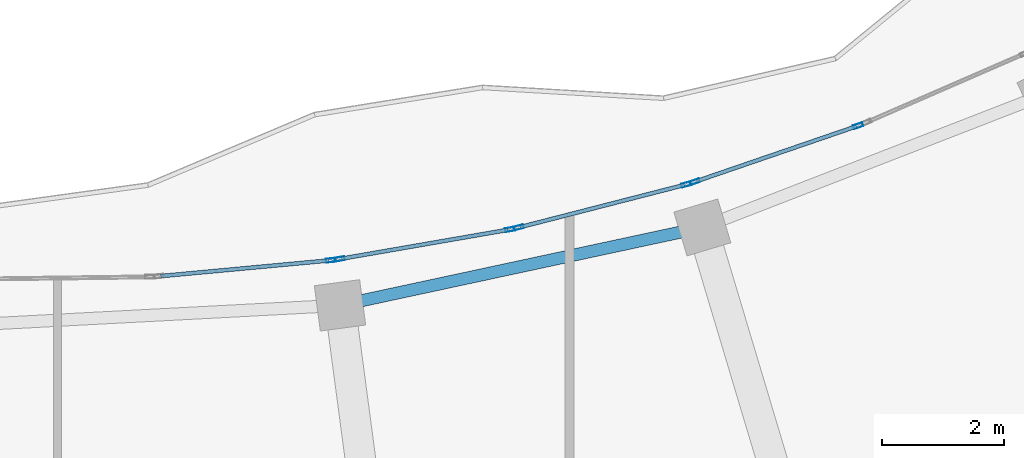
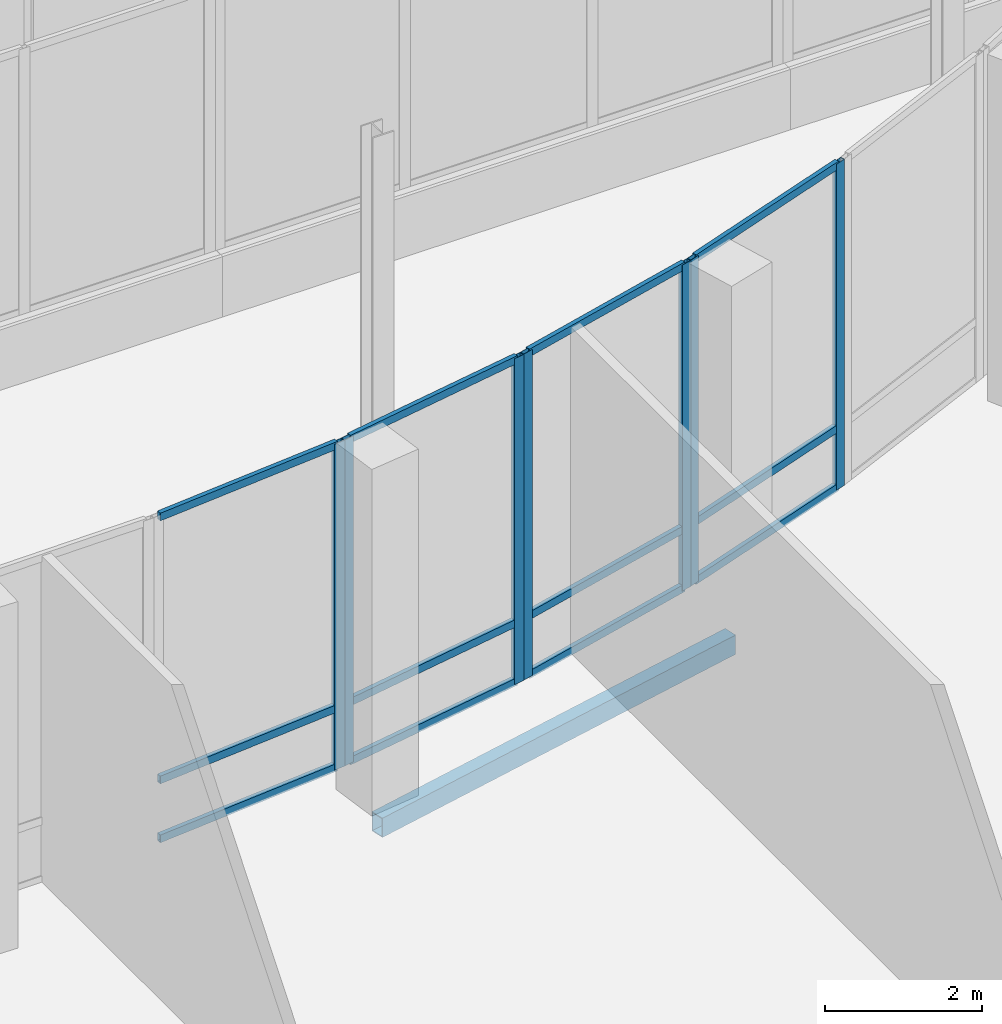
# One storey, part 38 of 158: 19 members, 1 beam, 4 elements without a shape of their own.
"""IFC4 building model written with IfcOpenShell, lengths in metres."""

from ifc_helpers import new_model, si_unit, direction, frame, origin, origin_2d, place, context, subcontext, project, spatial, hollow_rectangle, extrude, material, material_profile, profile_set, type_object, element, aggregate, save


model = new_model("IFC4")

# Units and contexts
model_context = context("Model", 3, precision=1e-05, world=origin(), true_north=direction((0.0, 1.0)))
body_context = subcontext(model_context, "Body", "Model", "MODEL_VIEW")
ifc_project = project(units=[si_unit("LENGTHUNIT", "METRE"), si_unit("AREAUNIT", "SQUARE_METRE"), si_unit("VOLUMEUNIT", "CUBIC_METRE"), si_unit("PLANEANGLEUNIT", "RADIAN"), si_unit("MASSUNIT", "GRAM", prefix="KILO")], contexts=[model_context])

# Site, building, storey
site_placement = place(None, origin())
site = spatial("IfcSite", under=ifc_project, at=site_placement, CompositionType="ELEMENT")
building_placement = place(site_placement, origin())
building = spatial("IfcBuilding", under=site, at=building_placement, Name="Selatvlak General Hospital", CompositionType="ELEMENT")
storey_placement = place(building_placement, origin())
storey = spatial("IfcBuildingStorey", under=building, at=storey_placement, Name="L00", CompositionType="ELEMENT", Elevation=0.0)

# Beam
ifc_material_1 = material(Name="Steel S355", Category="steel")
ifc_material_profile_1 = material_profile(ifc_material_1, hollow_rectangle(XDim=0.199951171875, YDim=0.300048828125, WallThickness=0.011962890625, at=origin_2d()), Name="RHS 300x200x12")
ifc_profile_set_1 = profile_set([ifc_material_profile_1], Name="Steel S355")
beam_type = type_object("IfcBeamType", Name="BM-SP3", PredefinedType="SPANDREL", material=ifc_profile_set_1)
beam_placement = place(storey_placement, frame((61.034912109375, 41.5830078125, -0.5), z_axis=(0.977655854443, 0.210211869964, 0.0), x_axis=(-0.210211869964, 0.977655854443, 0.0)))
element("IfcBeam", 1, at=beam_placement, inside=storey, type_object=beam_type, Name="Beam BMR-L00-0358", PredefinedType="SPANDREL", context=body_context, shape_type="SweptSolid", body=[
    extrude(hollow_rectangle(XDim=0.199951171875, YDim=0.300048828125, WallThickness=0.011962890625, at=origin_2d()), origin(), (0.0, 0.0, 1.0), 6.079833984375),
])

# Curtain wall, member
ifc_material_2 = material(Name="Solar-control Low-E double glazing", Category="glass")
curtain_wall_type_1 = type_object("IfcCurtainWallType", Name="CW-CW-02", PredefinedType="USERDEFINED", material=ifc_material_2)
curtain_wall_1_placement = place(storey_placement, origin())
curtain_wall_1 = element("IfcCurtainWall", 2, at=curtain_wall_1_placement, inside=storey, type_object=curtain_wall_type_1, Name="Glazed facade curtain wall CW-L00-0078", ObjectType="UNITISED CURTAIN WALL", PredefinedType="USERDEFINED")
ifc_material_3 = material(Name="Dark anodised aluminium mullion", Category="aluminium")
ifc_material_profile_2 = material_profile(ifc_material_3, hollow_rectangle(XDim=0.06494140625, YDim=0.159912109375, WallThickness=0.00390625, at=origin_2d()), Name="AL-MUL 65x160x4")
ifc_profile_set_2 = profile_set([ifc_material_profile_2], Name="Dark anodised aluminium mullion")
member_type_1 = type_object("IfcMemberType", Name="CWM-01", PredefinedType="MULLION", material=ifc_profile_set_2)
member_1_placement = place(storey_placement, frame((60.88671875, 42.322021484375, 0.0), z_axis=(0.0, 0.0, 1.0), x_axis=(-0.092369074668, 0.99572483852, 0.0)))
member_1 = element("IfcMember", 3, at=member_1_placement, type_object=member_type_1, Name="CW-02 mullion 2", PredefinedType="MULLION", context=body_context, shape_type="SweptSolid", body=[
    extrude(hollow_rectangle(XDim=0.06494140625, YDim=0.159912109375, WallThickness=0.00390625, at=origin_2d()), origin(), (0.0, 0.0, 1.0), 5.080078125),
])

# Curtain wall, members
curtain_wall_type_2 = type_object("IfcCurtainWallType", Name="CW-CW-01", PredefinedType="USERDEFINED", material=ifc_material_2)
curtain_wall_2_placement = place(storey_placement, origin())
curtain_wall_2 = element("IfcCurtainWall", 4, at=curtain_wall_2_placement, inside=storey, type_object=curtain_wall_type_2, Name="Glazed facade curtain wall CW-L00-0079", ObjectType="UNITISED CURTAIN WALL", PredefinedType="USERDEFINED")
member_2_placement = place(storey_placement, frame((61.030029296875, 42.343505859375, 0.0), z_axis=(0.0, 0.0, 1.0), x_axis=(-0.170657302344, 0.985330444651, 0.0)))
member_2 = element("IfcMember", 5, at=member_2_placement, type_object=member_type_1, Name="CW-01 mullion 1", PredefinedType="MULLION", context=body_context, shape_type="SweptSolid", body=[
    extrude(hollow_rectangle(XDim=0.06494140625, YDim=0.159912109375, WallThickness=0.00390625, at=origin_2d()), origin(), (0.0, 0.0, 1.0), 5.080078125),
])
member_3_placement = place(storey_placement, frame((63.823974609375, 42.827392578125, 0.0), z_axis=(0.0, 0.0, 1.0), x_axis=(-0.170657302344, 0.985330444651, 0.0)))
member_3 = element("IfcMember", 6, at=member_3_placement, type_object=member_type_1, Name="CW-01 mullion 2", PredefinedType="MULLION", context=body_context, shape_type="SweptSolid", body=[
    extrude(hollow_rectangle(XDim=0.06494140625, YDim=0.159912109375, WallThickness=0.00390625, at=origin_2d()), origin(), (0.0, 0.0, 1.0), 5.080078125),
])

curtain_wall_3_placement = place(storey_placement, origin())
curtain_wall_3 = element("IfcCurtainWall", 7, at=curtain_wall_3_placement, inside=storey, type_object=curtain_wall_type_1, Name="Glazed facade curtain wall CW-L00-0080", ObjectType="UNITISED CURTAIN WALL", PredefinedType="USERDEFINED")
member_4_placement = place(storey_placement, frame((63.965576171875, 42.860107421875, 0.0), z_axis=(0.0, 0.0, 1.0), x_axis=(-0.248607304863, 0.968604360907, 0.0)))
member_4 = element("IfcMember", 8, at=member_4_placement, type_object=member_type_1, Name="CW-02 mullion 1", PredefinedType="MULLION", context=body_context, shape_type="SweptSolid", body=[
    extrude(hollow_rectangle(XDim=0.06494140625, YDim=0.159912109375, WallThickness=0.00390625, at=origin_2d()), origin(), (0.0, 0.0, 1.0), 5.080078125),
])
member_5_placement = place(storey_placement, frame((66.715576171875, 43.56591796875, 0.0), z_axis=(0.0, 0.0, 1.0), x_axis=(-0.248607304863, 0.968604360907, 0.0)))
member_5 = element("IfcMember", 9, at=member_5_placement, type_object=member_type_1, Name="CW-02 mullion 2", PredefinedType="MULLION", context=body_context, shape_type="SweptSolid", body=[
    extrude(hollow_rectangle(XDim=0.06494140625, YDim=0.159912109375, WallThickness=0.00390625, at=origin_2d()), origin(), (0.0, 0.0, 1.0), 5.080078125),
])

curtain_wall_4_placement = place(storey_placement, origin())
curtain_wall_4 = element("IfcCurtainWall", 10, at=curtain_wall_4_placement, inside=storey, type_object=curtain_wall_type_2, Name="Glazed facade curtain wall CW-L00-0081", ObjectType="UNITISED CURTAIN WALL", PredefinedType="USERDEFINED")
member_6_placement = place(storey_placement, frame((66.853759765625, 43.609619140625, 0.0), z_axis=(0.0, 0.0, 1.0), x_axis=(-0.324491825998, 0.945888500226, 0.0)))
member_6 = element("IfcMember", 11, at=member_6_placement, type_object=member_type_1, Name="CW-01 mullion 1", PredefinedType="MULLION", context=body_context, shape_type="SweptSolid", body=[
    extrude(hollow_rectangle(XDim=0.06494140625, YDim=0.159912109375, WallThickness=0.00390625, at=origin_2d()), origin(), (0.0, 0.0, 1.0), 5.080078125),
])
member_7_placement = place(storey_placement, frame((69.53515625, 44.529541015625, 0.0), z_axis=(0.0, 0.0, 1.0), x_axis=(-0.324491825998, 0.945888500226, 0.0)))
member_7 = element("IfcMember", 12, at=member_7_placement, type_object=member_type_1, Name="CW-01 mullion 2", PredefinedType="MULLION", context=body_context, shape_type="SweptSolid", body=[
    extrude(hollow_rectangle(XDim=0.06494140625, YDim=0.159912109375, WallThickness=0.00390625, at=origin_2d()), origin(), (0.0, 0.0, 1.0), 5.080078125),
])

# Member
ifc_material_profile_3 = material_profile(ifc_material_3, hollow_rectangle(XDim=0.06494140625, YDim=0.1201171875, WallThickness=0.00390625, at=origin_2d()), Name="AL-TRN 65x120x4")
ifc_profile_set_3 = profile_set([ifc_material_profile_3], Name="Dark anodised aluminium mullion")
member_type_2 = type_object("IfcMemberType", Name="CWT-01", PredefinedType="USERDEFINED", material=ifc_profile_set_3)
member_8_placement = place(storey_placement, frame((58.0947265625, 42.06298828125, 0.032470703125), z_axis=(0.995721031907, 0.092410100192, 0.0), x_axis=(-0.092410100192, 0.995721031907, 0.0)))
member_8 = element("IfcMember", 13, at=member_8_placement, type_object=member_type_2, Name="CW-02 transom 1.1", ObjectType="TRANSOM", PredefinedType="USERDEFINED", context=body_context, shape_type="SweptSolid", body=[
    extrude(hollow_rectangle(XDim=0.06494140625, YDim=0.1201171875, WallThickness=0.00390625, at=origin_2d()), origin(), (0.0, 0.0, 1.0), 2.771484375),
])

member_9_placement = place(storey_placement, frame((58.0947265625, 42.06298828125, 0.949951171875), z_axis=(0.995721031907, 0.092410100192, 0.0), x_axis=(-0.092410100192, 0.995721031907, 0.0)))
member_9 = element("IfcMember", 14, at=member_9_placement, type_object=member_type_2, Name="CW-02 transom 1.2", ObjectType="TRANSOM", PredefinedType="USERDEFINED", context=body_context, shape_type="SweptSolid", body=[
    extrude(hollow_rectangle(XDim=0.06494140625, YDim=0.1201171875, WallThickness=0.00390625, at=origin_2d()), origin(), (0.0, 0.0, 1.0), 2.771484375),
])

member_10_placement = place(storey_placement, frame((58.0947265625, 42.06298828125, 5.047607421875), z_axis=(0.995721031907, 0.092410100192, 0.0), x_axis=(-0.092410100192, 0.995721031907, 0.0)))
member_10 = element("IfcMember", 15, at=member_10_placement, type_object=member_type_2, Name="CW-02 transom 1.3", ObjectType="TRANSOM", PredefinedType="USERDEFINED", context=body_context, shape_type="SweptSolid", body=[
    extrude(hollow_rectangle(XDim=0.06494140625, YDim=0.1201171875, WallThickness=0.00390625, at=origin_2d()), origin(), (0.0, 0.0, 1.0), 2.771484375),
])

aggregate(curtain_wall_1, [member_1, member_8, member_9, member_10])

member_11_placement = place(storey_placement, frame((61.06201171875, 42.34912109375, 0.032470703125), z_axis=(0.985326006405, 0.170682925631, 0.0), x_axis=(-0.170682925631, 0.985326006405, 0.0)))
member_11 = element("IfcMember", 16, at=member_11_placement, type_object=member_type_2, Name="CW-01 transom 1.1", ObjectType="TRANSOM", PredefinedType="USERDEFINED", context=body_context, shape_type="SweptSolid", body=[
    extrude(hollow_rectangle(XDim=0.06494140625, YDim=0.1201171875, WallThickness=0.00390625, at=origin_2d()), origin(), (0.0, 0.0, 1.0), 2.770751953125),
])

member_12_placement = place(storey_placement, frame((61.06201171875, 42.34912109375, 0.949951171875), z_axis=(0.985326006405, 0.170682925631, 0.0), x_axis=(-0.170682925631, 0.985326006405, 0.0)))
member_12 = element("IfcMember", 17, at=member_12_placement, type_object=member_type_2, Name="CW-01 transom 1.2", ObjectType="TRANSOM", PredefinedType="USERDEFINED", context=body_context, shape_type="SweptSolid", body=[
    extrude(hollow_rectangle(XDim=0.06494140625, YDim=0.1201171875, WallThickness=0.00390625, at=origin_2d()), origin(), (0.0, 0.0, 1.0), 2.770751953125),
])

member_13_placement = place(storey_placement, frame((61.06201171875, 42.34912109375, 5.047607421875), z_axis=(0.985326006405, 0.170682925631, 0.0), x_axis=(-0.170682925631, 0.985326006405, 0.0)))
member_13 = element("IfcMember", 18, at=member_13_placement, type_object=member_type_2, Name="CW-01 transom 1.3", ObjectType="TRANSOM", PredefinedType="USERDEFINED", context=body_context, shape_type="SweptSolid", body=[
    extrude(hollow_rectangle(XDim=0.06494140625, YDim=0.1201171875, WallThickness=0.00390625, at=origin_2d()), origin(), (0.0, 0.0, 1.0), 2.770751953125),
])

aggregate(curtain_wall_2, [member_2, member_3, member_11, member_12, member_13])

member_14_placement = place(storey_placement, frame((63.9970703125, 42.8681640625, 0.032470703125), z_axis=(0.96860140011, 0.248618840206, 0.0), x_axis=(-0.248618840206, 0.96860140011, 0.0)))
member_14 = element("IfcMember", 19, at=member_14_placement, type_object=member_type_2, Name="CW-02 transom 1.1", ObjectType="TRANSOM", PredefinedType="USERDEFINED", context=body_context, shape_type="SweptSolid", body=[
    extrude(hollow_rectangle(XDim=0.06494140625, YDim=0.1201171875, WallThickness=0.00390625, at=origin_2d()), origin(), (0.0, 0.0, 1.0), 2.774169921875),
])

member_15_placement = place(storey_placement, frame((63.9970703125, 42.8681640625, 0.949951171875), z_axis=(0.96860140011, 0.248618840206, 0.0), x_axis=(-0.248618840206, 0.96860140011, 0.0)))
member_15 = element("IfcMember", 20, at=member_15_placement, type_object=member_type_2, Name="CW-02 transom 1.2", ObjectType="TRANSOM", PredefinedType="USERDEFINED", context=body_context, shape_type="SweptSolid", body=[
    extrude(hollow_rectangle(XDim=0.06494140625, YDim=0.1201171875, WallThickness=0.00390625, at=origin_2d()), origin(), (0.0, 0.0, 1.0), 2.774169921875),
])

member_16_placement = place(storey_placement, frame((63.9970703125, 42.8681640625, 5.047607421875), z_axis=(0.96860140011, 0.248618840206, 0.0), x_axis=(-0.248618840206, 0.96860140011, 0.0)))
member_16 = element("IfcMember", 21, at=member_16_placement, type_object=member_type_2, Name="CW-02 transom 1.3", ObjectType="TRANSOM", PredefinedType="USERDEFINED", context=body_context, shape_type="SweptSolid", body=[
    extrude(hollow_rectangle(XDim=0.06494140625, YDim=0.1201171875, WallThickness=0.00390625, at=origin_2d()), origin(), (0.0, 0.0, 1.0), 2.774169921875),
])

aggregate(curtain_wall_3, [member_4, member_5, member_14, member_15, member_16])

member_17_placement = place(storey_placement, frame((66.884521484375, 43.6201171875, 0.032470703125), z_axis=(0.945906537213, 0.324439243709, 0.0), x_axis=(-0.324439243709, 0.945906537213, 0.0)))
member_17 = element("IfcMember", 22, at=member_17_placement, type_object=member_type_2, Name="CW-01 transom 1.1", ObjectType="TRANSOM", PredefinedType="USERDEFINED", context=body_context, shape_type="SweptSolid", body=[
    extrude(hollow_rectangle(XDim=0.06494140625, YDim=0.1201171875, WallThickness=0.00390625, at=origin_2d()), origin(), (0.0, 0.0, 1.0), 2.77001953125),
])

member_18_placement = place(storey_placement, frame((66.884521484375, 43.6201171875, 0.949951171875), z_axis=(0.945906537213, 0.324439243709, 0.0), x_axis=(-0.324439243709, 0.945906537213, 0.0)))
member_18 = element("IfcMember", 23, at=member_18_placement, type_object=member_type_2, Name="CW-01 transom 1.2", ObjectType="TRANSOM", PredefinedType="USERDEFINED", context=body_context, shape_type="SweptSolid", body=[
    extrude(hollow_rectangle(XDim=0.06494140625, YDim=0.1201171875, WallThickness=0.00390625, at=origin_2d()), origin(), (0.0, 0.0, 1.0), 2.77001953125),
])

member_19_placement = place(storey_placement, frame((66.884521484375, 43.6201171875, 5.047607421875), z_axis=(0.945906537213, 0.324439243709, 0.0), x_axis=(-0.324439243709, 0.945906537213, 0.0)))
member_19 = element("IfcMember", 24, at=member_19_placement, type_object=member_type_2, Name="CW-01 transom 1.3", ObjectType="TRANSOM", PredefinedType="USERDEFINED", context=body_context, shape_type="SweptSolid", body=[
    extrude(hollow_rectangle(XDim=0.06494140625, YDim=0.1201171875, WallThickness=0.00390625, at=origin_2d()), origin(), (0.0, 0.0, 1.0), 2.77001953125),
])

aggregate(curtain_wall_4, [member_6, member_7, member_17, member_18, member_19])

save(model, "model.ifc")
